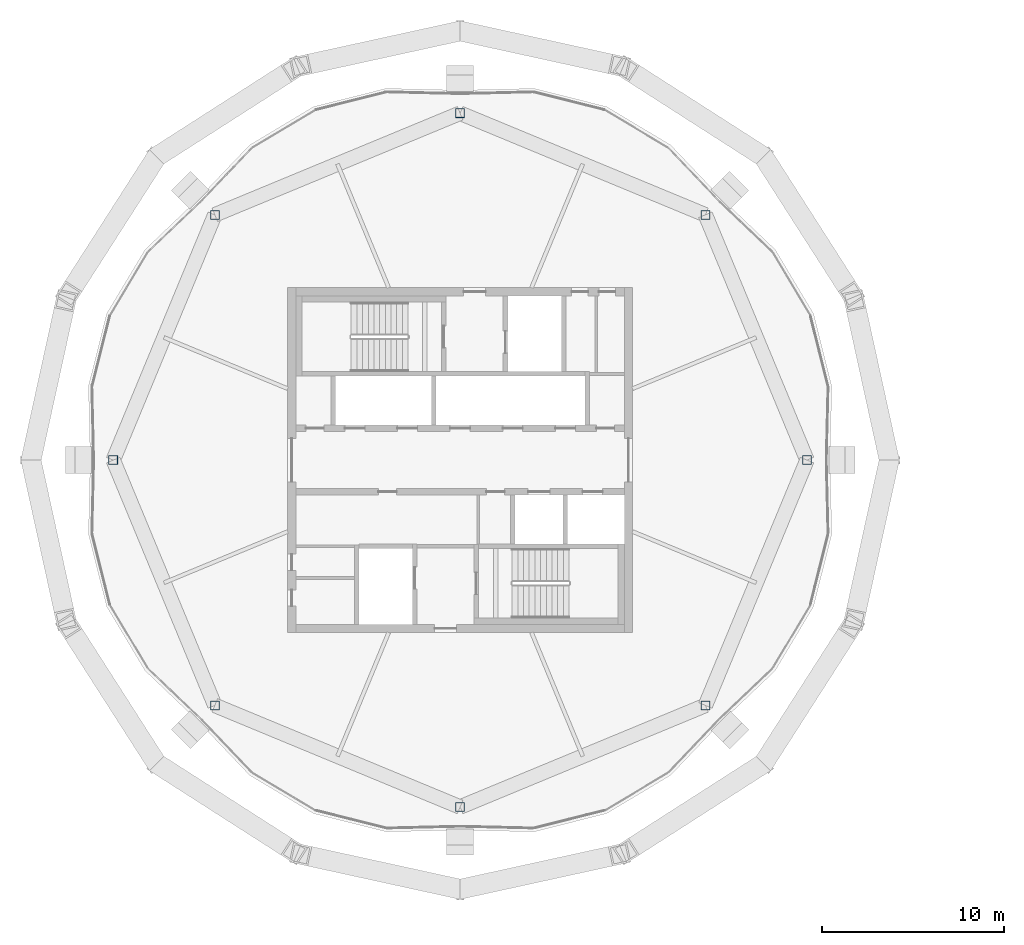
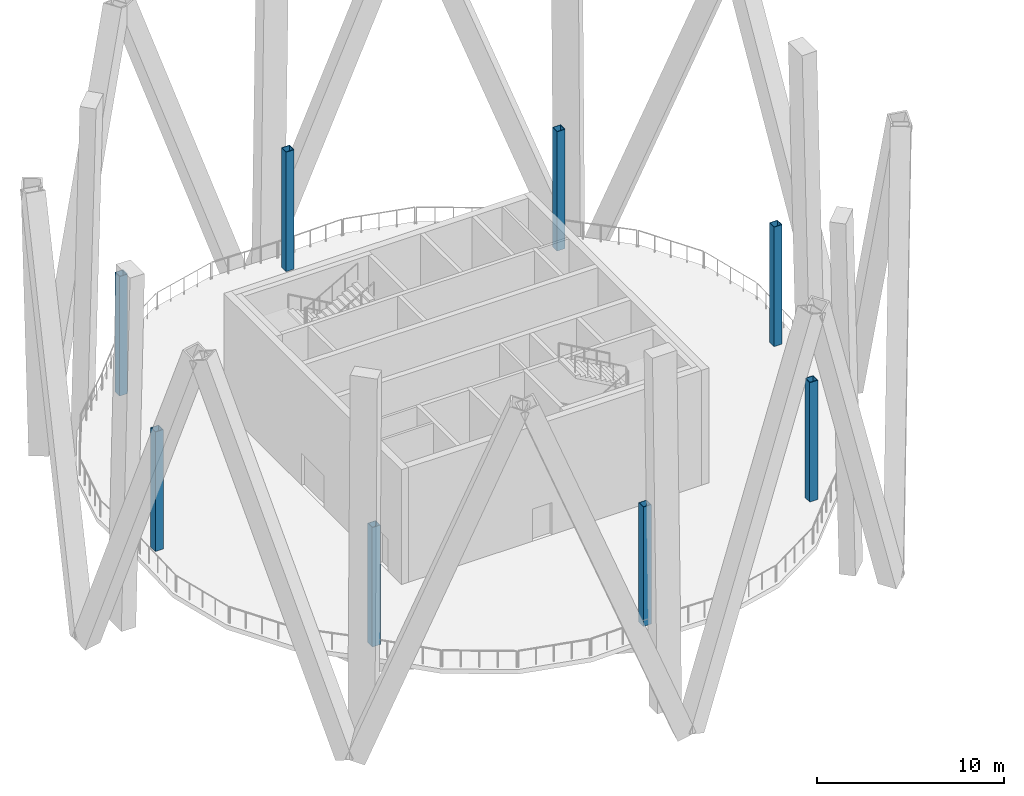
# One storey, part 1 of 13: 8 columns.
"""IFC4 building model written with IfcOpenShell, lengths in metres."""

from ifc_helpers import new_model, si_unit, direction, frame, origin, origin_2d, place, context, subcontext, project, spatial, hollow_rectangle, extrude, material, material_profile, profile_set, type_object, element, save


model = new_model("IFC4")

# Units and contexts
model_context = context("Model", 3, precision=1e-05, world=origin(), true_north=direction((0.0, 1.0)))
body_context = subcontext(model_context, "Body", "Model", "MODEL_VIEW")
ifc_project = project(units=[si_unit("LENGTHUNIT", "METRE"), si_unit("AREAUNIT", "SQUARE_METRE"), si_unit("VOLUMEUNIT", "CUBIC_METRE"), si_unit("PLANEANGLEUNIT", "RADIAN"), si_unit("MASSUNIT", "GRAM", prefix="KILO")], contexts=[model_context])

# Site, building, storey
site_placement = place(None, origin())
site = spatial("IfcSite", under=ifc_project, at=site_placement, CompositionType="ELEMENT")
building_placement = place(site_placement, origin())
building = spatial("IfcBuilding", under=site, at=building_placement, Name="Ogive Gate Towers", CompositionType="ELEMENT")
storey_placement = place(building_placement, frame((0.0, 0.0, 221.10009765625)))
storey = spatial("IfcBuildingStorey", under=building, at=storey_placement, Name="L53", CompositionType="ELEMENT", Elevation=221.10009765625)

# Columns
ifc_material = material(Name="Steel SM460", Category="steel")
ifc_material_profile = material_profile(ifc_material, hollow_rectangle(XDim=0.5, YDim=0.5, WallThickness=0.030029296875, at=origin_2d()), Name="BX 500x500x30")
ifc_profile_set = profile_set([ifc_material_profile], Name="Steel SM460")
column_type = type_object("IfcColumnType", Name="Perimeter post BX 500x500x30", PredefinedType="COLUMN", material=ifc_profile_set)
for number, where, z_axis, x_axis, name in (
    (1, (-16.889892578125, 0.0, 0.0), (0.0, 0.0, 1.0), (1.0, 0.0, 0.0), "T1/L53/SCL001"),
    (2, (-22.4873046875, 13.5126953125, 0.0), (0.0, 0.0, 1.0), (1.0, 0.0, 0.0), "T1/L53/SCL002"),
    (3, (-36.0, 19.110107421875, 0.0), (0.0, 0.0, 1.0), (1.0, 0.0, 0.0), "T1/L53/SCL003"),
    (4, (-49.5126953125, 13.5126953125, 0.0), (0.0, 0.0, 1.0), (1.0, 0.0, 0.0), "T1/L53/SCL004"),
    (5, (-55.110107421875, 0.0, 0.0), (0.0, 0.0, 1.0), (1.0, 0.0, 0.0), "T1/L53/SCL005"),
    (6, (-49.5126953125, -13.5126953125, 0.0), (0.0, 0.0, 1.0), (1.0, 0.0, 0.0), "T1/L53/SCL006"),
    (7, (-36.0, -19.110107421875, 0.0), (0.0, 0.0, 1.0), (1.0, 0.0, 0.0), "T1/L53/SCL007"),
    (8, (-22.4873046875, -13.5126953125, 0.0), (0.0, 0.0, 1.0), (1.0, 0.0, 0.0), "T1/L53/SCL008"),
):
    element("IfcColumn", number, at=place(storey_placement, frame(where, z_axis=z_axis, x_axis=x_axis)), inside=storey, type_object=column_type, Name=name, PredefinedType="COLUMN", context=body_context, shape_type="SweptSolid", body=[
        extrude(hollow_rectangle(XDim=0.5, YDim=0.5, WallThickness=0.030029296875, at=origin_2d()), origin(), (0.0, 0.0, 1.0), 7.7998046875),
    ])

save(model, "model.ifc")
